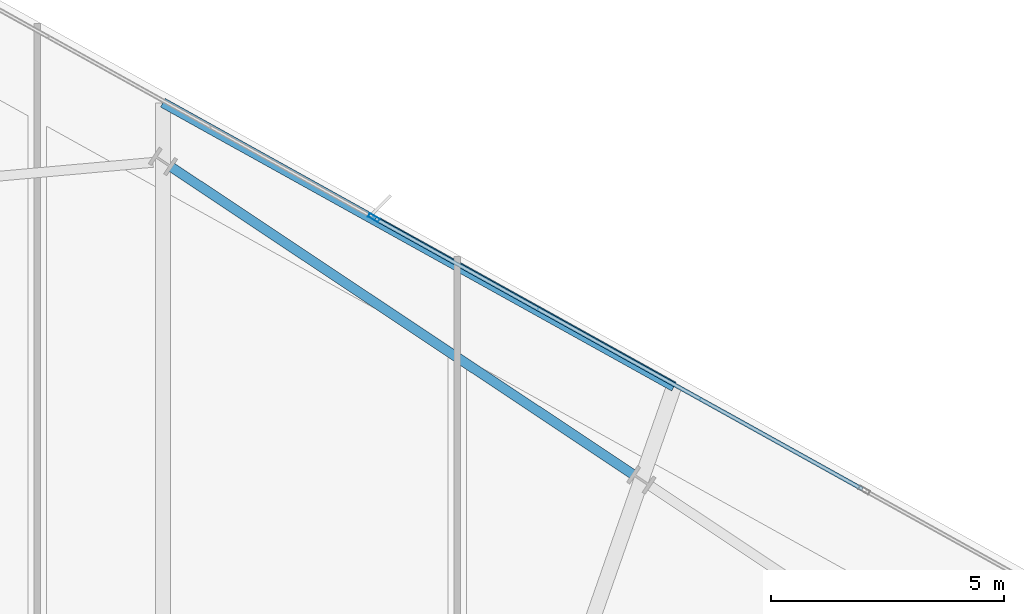
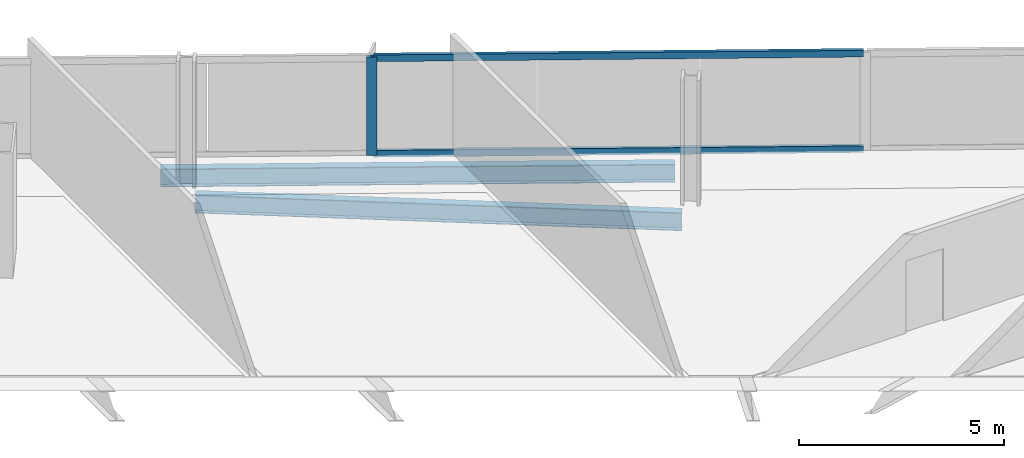
# One storey, part 18 of 28: 3 members, 2 beams, 1 element without a shape of its own.
"""IFC4 building model written with IfcOpenShell, lengths in metres."""

import ifcopenshell
import ifcopenshell.guid

model = None  # the IFC model being written
_history = None  # IfcOwnerHistory: only IFC2X3 demands one
_inside = {}  # id of a spatial element -> (the spatial element, [elements in it])
_under = {}  # id of a project, library or spatial element -> (it, [spatial elements below it])
_declared = {}  # id of a project -> (the project, [libraries it declares])
_typed = {}  # id of a type object -> (the type object, [elements of that type])
_made_of = {}  # id of a material, layer set ... -> (it, [elements and type objects made of it])


def new_model(schema):
    """Start an empty IFC model of exactly this schema.

    Asked for "IFC4X3", IfcOpenShell would pick the latest addendum, in which some entities
    have other attributes; the version numbers below select the first issue.
    IFC2X3 requires an IfcOwnerHistory on every rooted entity: one is made here for all.
    """
    global model, _history
    if schema == "IFC4X3":
        model = ifcopenshell.file(schema_version=(4, 3, 0, 0))
    else:
        model = ifcopenshell.file(schema=schema)
    _inside.clear()
    _under.clear()
    _declared.clear()
    _typed.clear()
    _made_of.clear()
    _history = None
    if model.schema == "IFC2X3":
        org = make("IfcOrganization", Name="unknown")
        user = make(
            "IfcPersonAndOrganization",
            ThePerson=make("IfcPerson", FamilyName="unknown"),
            TheOrganization=org,
        )
        app = make(
            "IfcApplication",
            ApplicationDeveloper=org,
            Version="unknown",
            ApplicationFullName="unknown",
            ApplicationIdentifier="unknown",
        )
        _history = make(
            "IfcOwnerHistory",
            OwningUser=user,
            OwningApplication=app,
            ChangeAction="ADDED",
            CreationDate=0,
        )
    return model


def make(cls, **values):
    """One entity of the class cls with the attributes given. An attribute that is None is left unset."""
    return model.create_entity(
        cls, **{name: value for name, value in values.items() if value is not None}
    )


def rooted(cls, **values):
    """An entity with a GlobalId (a new one), such as an element, a storey or a relation."""
    return make(cls, GlobalId=ifcopenshell.guid.new(), OwnerHistory=_history, **values)


def si_unit(unit_type, name, prefix=None):
    """IfcSIUnit, for example si_unit("LENGTHUNIT", "METRE", prefix="MILLI")."""
    return make("IfcSIUnit", UnitType=unit_type, Prefix=prefix, Name=name)


def assignment(units):
    """IfcUnitAssignment: the units of a project."""
    return None if units is None else make("IfcUnitAssignment", Units=units)


def point(xyz):
    """IfcCartesianPoint."""
    return None if xyz is None else make("IfcCartesianPoint", Coordinates=xyz)


def direction(xyz):
    """IfcDirection."""
    return None if xyz is None else make("IfcDirection", DirectionRatios=xyz)


def frame(location, z_axis=None, x_axis=None):
    """IfcAxis2Placement3D, a coordinate frame: its origin and axes. An axis left out is left unset."""
    return make(
        "IfcAxis2Placement3D",
        Location=point(location),
        Axis=direction(z_axis),
        RefDirection=direction(x_axis),
    )


def frame_2d(location, x_axis=None):
    """IfcAxis2Placement2D, a coordinate frame in the plane: its origin and x axis."""
    return make(
        "IfcAxis2Placement2D", Location=point(location), RefDirection=direction(x_axis)
    )


def origin():
    """The frame at (0, 0, 0) with its axes left unset."""
    return frame((0.0, 0.0, 0.0))


def origin_2d():
    """The frame at (0, 0) in the plane with its x axis left unset."""
    return frame_2d((0.0, 0.0))


def place(relative_to, where):
    """IfcLocalPlacement: puts the frame where relative to a parent placement (None: the world)."""
    return make(
        "IfcLocalPlacement", PlacementRelTo=relative_to, RelativePlacement=where
    )


def context(
    kind, dimensions, precision=None, world=None, true_north=None, identifier=None
):
    """IfcGeometricRepresentationContext, for example the 3D "Model" context."""
    return make(
        "IfcGeometricRepresentationContext",
        ContextIdentifier=identifier,
        ContextType=kind,
        CoordinateSpaceDimension=dimensions,
        Precision=precision,
        WorldCoordinateSystem=world,
        TrueNorth=true_north,
    )


def subcontext(parent, identifier, kind, view, scale=None):
    """IfcGeometricRepresentationSubContext, for example "Body" below "Model"."""
    return make(
        "IfcGeometricRepresentationSubContext",
        ContextIdentifier=identifier,
        ContextType=kind,
        ParentContext=parent,
        TargetScale=scale,
        TargetView=view,
    )


def project(units=None, contexts=None):
    """IfcProject with its units and contexts."""
    return rooted(
        "IfcProject",
        Name="project",
        RepresentationContexts=contexts,
        UnitsInContext=assignment(units),
    )


def spatial(cls, under=None, at=None, **own):
    """A site, building, storey or space (cls), placed at a placement, below another one or the project."""
    s = rooted(cls, ObjectPlacement=at, **own)
    if under is not None:
        _under.setdefault(under.id(), (under, []))[1].append(s)
    return s


def profile(cls, at=None, kind="AREA", **sizes):
    """A parametric profile (cls). Its sizes go by their IFC names, for example OverallWidth=200.0."""
    return make(cls, ProfileType=kind, Position=at, **sizes)


def hollow_rectangle(**sizes):
    """IfcRectangleHollowProfileDef."""
    return profile("IfcRectangleHollowProfileDef", **sizes)


def i_section(**sizes):
    """IfcIShapeProfileDef."""
    return profile("IfcIShapeProfileDef", **sizes)


def extrude(swept, where, along, depth):
    """IfcExtrudedAreaSolid: the profile swept, set in the frame where, extruded along a direction by depth."""
    return make(
        "IfcExtrudedAreaSolid",
        SweptArea=swept,
        Position=where,
        ExtrudedDirection=direction(along),
        Depth=depth,
    )


def shape(context_of_items, identifier, shape_type, items):
    """IfcShapeRepresentation: the items that make up one representation, for example the "Body"."""
    return make(
        "IfcShapeRepresentation",
        ContextOfItems=context_of_items,
        RepresentationIdentifier=identifier,
        RepresentationType=shape_type,
        Items=items,
    )


def material(Name=None, Category=None):
    """IfcMaterial."""
    return make("IfcMaterial", Name=Name, Category=Category)


def material_profile(
    of_material, cross_section, Name=None, Category=None, Priority=None
):
    """IfcMaterialProfile: a cross section and its material."""
    return make(
        "IfcMaterialProfile",
        Name=Name,
        Material=of_material,
        Profile=cross_section,
        Priority=Priority,
        Category=Category,
    )


def profile_set(profiles, Name=None, composite=None):
    """IfcMaterialProfileSet."""
    return make(
        "IfcMaterialProfileSet",
        Name=Name,
        MaterialProfiles=profiles,
        CompositeProfile=composite,
    )


def made_of(thing, what):
    """Note that an element or type object is made of a material, layer set ...; save() writes the relation."""
    if what is not None:
        _made_of.setdefault(what.id(), (what, []))[1].append(thing)
    return thing


def type_object(cls, material=None, **own):
    """A type object (cls), such as IfcWallType, which elements share."""
    return made_of(rooted(cls, **own), material)


def element(
    cls,
    number,
    at=None,
    inside=None,
    cuts=None,
    type_object=None,
    material=None,
    context=None,
    identifier="Body",
    shape_type=None,
    held_by="IfcProductDefinitionShape",
    body=None,
    shapes=None,
    **own,
):
    """One element of the class cls, such as IfcWall. Its Tag is "e" and its number.

    at: its placement. inside: the storey or other place that contains it. cuts: it is an
    opening in that element (IfcRelVoidsElement). A single representation is given by context,
    identifier, shape_type and body (its items); several are given by shapes. held_by: the class
    of the entity that holds the representations. save() writes the other relations.
    """
    e = rooted(cls, Tag="e%d" % number, ObjectPlacement=at, **own)
    if body is not None:
        shapes = [shape(context, identifier, shape_type, body)]
    if shapes is not None:
        e.Representation = make(held_by, Representations=shapes)
    if inside is not None:
        _inside.setdefault(inside.id(), (inside, []))[1].append(e)
    if cuts is not None:
        rooted(
            "IfcRelVoidsElement", RelatingBuildingElement=cuts, RelatedOpeningElement=e
        )
    if type_object is not None:
        _typed.setdefault(type_object.id(), (type_object, []))[1].append(e)
    return made_of(e, material)


def aggregate(whole, parts):
    """IfcRelAggregates: a whole, such as a stair, and the parts it consists of."""
    return rooted("IfcRelAggregates", RelatingObject=whole, RelatedObjects=parts)


def save(model, path):
    """Write the relations noted so far, then the file.

    IfcRelAggregates (storeys below a building ...), IfcRelContainedInSpatialStructure (elements
    in a storey), IfcRelDefinesByType, IfcRelAssociatesMaterial and IfcRelDeclares: one each for
    every whole, place, type object, material and project.
    """
    for whole, parts in _under.values():
        aggregate(whole, parts)
    for where, things in _inside.values():
        rooted(
            "IfcRelContainedInSpatialStructure",
            RelatedElements=things,
            RelatingStructure=where,
        )
    for kind, things in _typed.values():
        rooted("IfcRelDefinesByType", RelatedObjects=things, RelatingType=kind)
    for what, things in _made_of.values():
        rooted("IfcRelAssociatesMaterial", RelatedObjects=things, RelatingMaterial=what)
    for by, libraries in _declared.values():
        rooted("IfcRelDeclares", RelatingContext=by, RelatedDefinitions=libraries)
    model.write(path)


model = new_model("IFC4")

# Units and contexts
model_context = context("Model", 3, precision=1e-05, world=origin(), true_north=direction((0.0, 1.0)))
body_context = subcontext(model_context, "Body", "Model", "MODEL_VIEW")
ifc_project = project(units=[si_unit("LENGTHUNIT", "METRE"), si_unit("AREAUNIT", "SQUARE_METRE"), si_unit("VOLUMEUNIT", "CUBIC_METRE"), si_unit("PLANEANGLEUNIT", "RADIAN"), si_unit("MASSUNIT", "GRAM", prefix="KILO")], contexts=[model_context])

# Site, building, storey
site_placement = place(None, origin())
site = spatial("IfcSite", under=ifc_project, at=site_placement, CompositionType="ELEMENT")
building_placement = place(site_placement, origin())
building = spatial("IfcBuilding", under=site, at=building_placement, Name="Haldenkirk Collegiate Tower", CompositionType="ELEMENT")
storey_placement = place(building_placement, frame((0.0, 0.0, 232.199951171875)))
storey = spatial("IfcBuildingStorey", under=building, at=storey_placement, Name="L58", CompositionType="ELEMENT", Elevation=232.199951171875)

# Beams
ifc_material_1 = material(Name="Steel ASTM A992 Grade 50", Category="steel")
ifc_material_profile_1 = material_profile(ifc_material_1, i_section(OverallWidth=0.2099609375, OverallDepth=0.537109375, WebThickness=0.010986328125, FlangeThickness=0.017333984375, at=origin_2d()), Name="W21X68")
ifc_profile_set_1 = profile_set([ifc_material_profile_1], Name="Steel ASTM A992 Grade 50")
beam_type = type_object("IfcBeamType", Name="BM-SPANDREL-W21X68", PredefinedType="SPANDREL", material=ifc_profile_set_1)
beam_1_placement = place(storey_placement, frame((48.266845703125, 43.96240234375, -0.54833984375), z_axis=(-0.832429330124, 0.554131221237, 0.0), x_axis=(-0.554131221237, -0.832429330124, 0.0)))
element("IfcBeam", 1, at=beam_1_placement, inside=storey, type_object=beam_type, Name="L58 perimeter spandrel beam 07", PredefinedType="SPANDREL", context=body_context, shape_type="SweptSolid", body=[
    extrude(i_section(OverallWidth=0.2099609375, OverallDepth=0.537109375, WebThickness=0.010986328125, FlangeThickness=0.017333984375, at=origin_2d()), origin(), (0.0, 0.0, 1.0), 11.88525390625),
])
beam_2_placement = place(storey_placement, frame((49.14794921875, 45.841796875, -0.54833984375), z_axis=(-0.874194031193, 0.485576766151, 0.0), x_axis=(-0.485576766151, -0.874194031193, 0.0)))
element("IfcBeam", 2, at=beam_2_placement, inside=storey, type_object=beam_type, Name="L58 outer facade edge beam 2", PredefinedType="SPANDREL", context=body_context, shape_type="SweptSolid", body=[
    extrude(i_section(OverallWidth=0.2099609375, OverallDepth=0.537109375, WebThickness=0.010986328125, FlangeThickness=0.017333984375, at=origin_2d()), origin(), (0.0, 0.0, 1.0), 12.531982421875),
])

# Curtain wall, members
ifc_material_2 = material(Name="Anodised architectural bronze aluminium", Category="aluminium")
curtain_wall_type = type_object("IfcCurtainWallType", Name="CW-SYS1B-CONVEX-HI", PredefinedType="USERDEFINED", material=ifc_material_2)
curtain_wall_placement = place(storey_placement, origin())
curtain_wall = element("IfcCurtainWall", 3, at=curtain_wall_placement, inside=storey, type_object=curtain_wall_type, Name="L58 Upper tower high-wind convex bronze unitised curtain wall", ObjectType="UNITISED CURTAIN WALL", PredefinedType="USERDEFINED")
ifc_material_profile_2 = material_profile(ifc_material_2, hollow_rectangle(XDim=0.0849609375, YDim=0.25, WallThickness=0.0048828125, at=origin_2d()), Name="CW-MUL-1B")
ifc_profile_set_2 = profile_set([ifc_material_profile_2], Name="Anodised architectural bronze aluminium")
member_type_1 = type_object("IfcMemberType", Name="CW-MUL-1B", PredefinedType="MULLION", material=ifc_profile_set_2)
member_1_placement = place(storey_placement, frame((42.712158203125, 49.46240234375, 0.0), z_axis=(0.0, 0.0, 1.0), x_axis=(0.485572321883, 0.874196499776, 0.0)))
member_1 = element("IfcMember", 4, at=member_1_placement, type_object=member_type_1, Name="CW-1B mullion 2", PredefinedType="MULLION", context=body_context, shape_type="SweptSolid", body=[
    extrude(hollow_rectangle(XDim=0.0849609375, YDim=0.25, WallThickness=0.0048828125, at=origin_2d()), origin(), (0.0, 0.0, 1.0), 2.927978515625),
])
ifc_material_profile_3 = material_profile(ifc_material_2, hollow_rectangle(XDim=0.0849609375, YDim=0.199951171875, WallThickness=0.0048828125, at=origin_2d()), Name="CW-TRN-1B")
ifc_profile_set_3 = profile_set([ifc_material_profile_3], Name="Anodised architectural bronze aluminium")
member_type_2 = type_object("IfcMemberType", Name="CW-TRN-1B", PredefinedType="USERDEFINED", material=ifc_profile_set_3)
member_2_placement = place(storey_placement, frame((42.749267578125, 49.441650390625, 0.04248046875), z_axis=(0.874202603526, -0.48556133288, 0.0), x_axis=(0.48556133288, 0.874202603526, 0.0)))
member_2 = element("IfcMember", 5, at=member_2_placement, type_object=member_type_2, Name="CW-1B transom 2.1", ObjectType="TRANSOM", PredefinedType="USERDEFINED", context=body_context, shape_type="SweptSolid", body=[
    extrude(hollow_rectangle(XDim=0.0849609375, YDim=0.199951171875, WallThickness=0.0048828125, at=origin_2d()), origin(), (0.0, 0.0, 1.0), 11.93994140625),
])
member_3_placement = place(storey_placement, frame((42.749267578125, 49.441650390625, 2.885498046875), z_axis=(0.874202603526, -0.48556133288, 0.0), x_axis=(0.48556133288, 0.874202603526, 0.0)))
member_3 = element("IfcMember", 6, at=member_3_placement, type_object=member_type_2, Name="CW-1B transom 2.2", ObjectType="TRANSOM", PredefinedType="USERDEFINED", context=body_context, shape_type="SweptSolid", body=[
    extrude(hollow_rectangle(XDim=0.0849609375, YDim=0.199951171875, WallThickness=0.0048828125, at=origin_2d()), origin(), (0.0, 0.0, 1.0), 11.93994140625),
])
aggregate(curtain_wall, [member_1, member_2, member_3])

save(model, "model.ifc")
